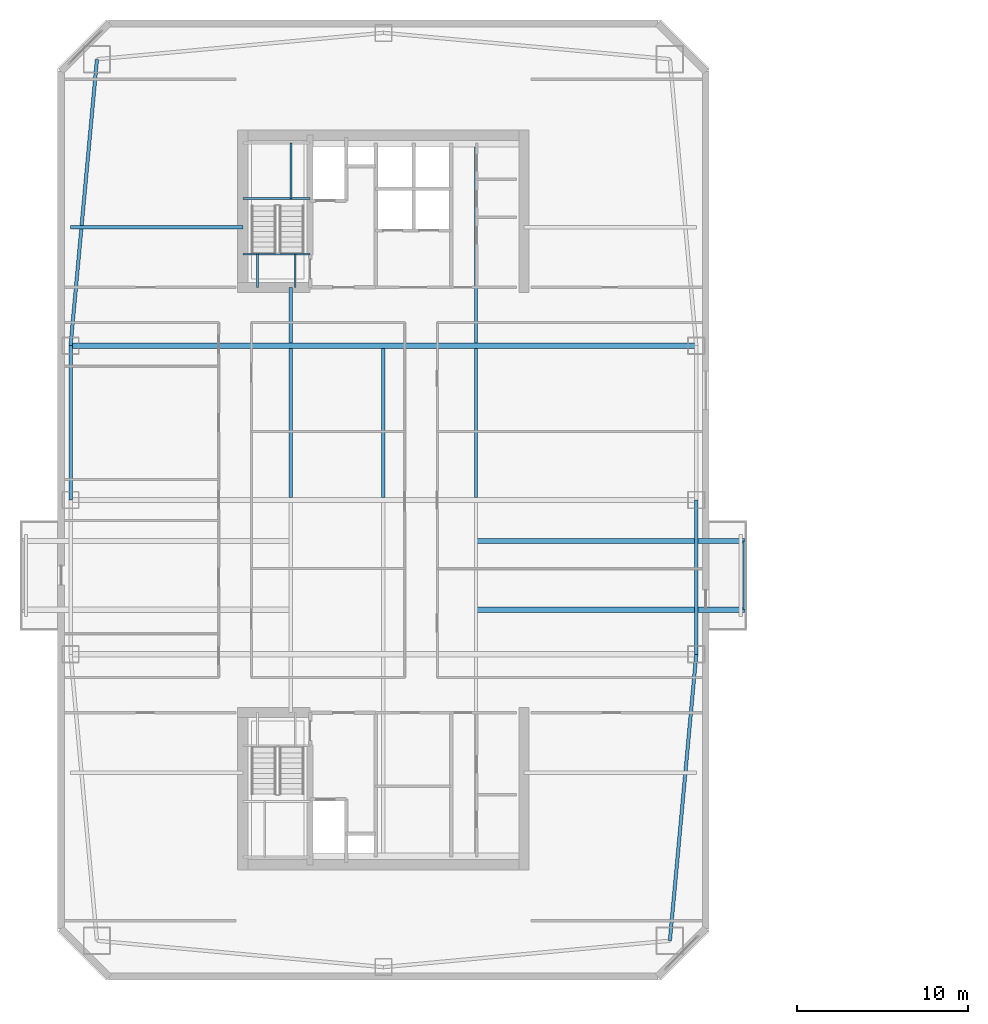
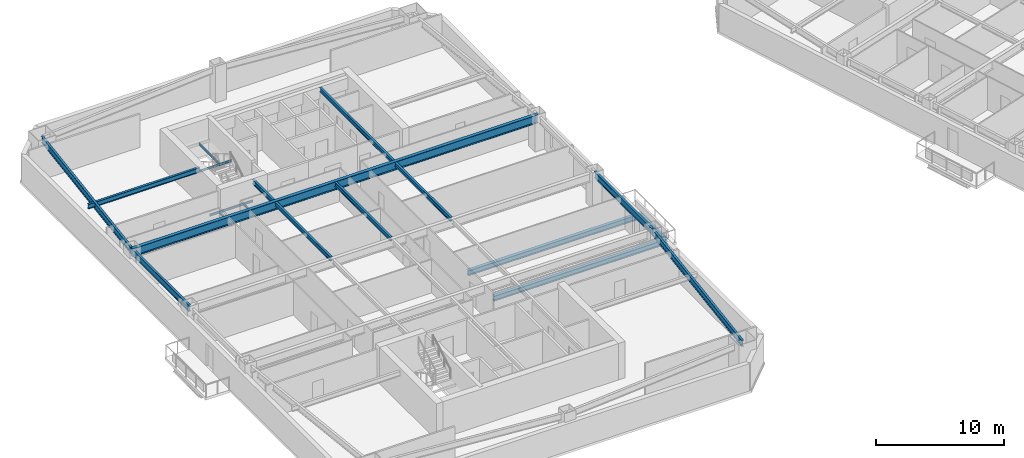
# One storey, part 5 of 22: 19 beams.
"""IFC4 building model written with IfcOpenShell, lengths in metres."""

from ifc_helpers import new_model, si_unit, direction, frame, origin, origin_2d, place, context, subcontext, project, spatial, i_section, extrude, material, material_profile, profile_set, type_object, element, save


model = new_model("IFC4")

# Units and contexts
model_context = context("Model", 3, precision=1e-05, world=origin(), true_north=direction((0.0, 1.0)))
body_context = subcontext(model_context, "Body", "Model", "MODEL_VIEW")
ifc_project = project(units=[si_unit("LENGTHUNIT", "METRE"), si_unit("AREAUNIT", "SQUARE_METRE"), si_unit("VOLUMEUNIT", "CUBIC_METRE"), si_unit("PLANEANGLEUNIT", "RADIAN"), si_unit("MASSUNIT", "GRAM", prefix="KILO")], contexts=[model_context])

# Site, building, storey
site_placement = place(None, origin())
site = spatial("IfcSite", under=ifc_project, at=site_placement, CompositionType="ELEMENT")
building_placement = place(site_placement, origin())
building = spatial("IfcBuilding", under=site, at=building_placement, Name="Qiaolan Cultural Towers", CompositionType="ELEMENT")
storey_placement = place(building_placement, frame((0.0, 0.0, 146.050048828125)))
storey = spatial("IfcBuildingStorey", under=building, at=storey_placement, Name="L38", CompositionType="ELEMENT", Elevation=146.050048828125)

# Beams
ifc_material_1 = material(Name="Steel Q355B", Category="steel")
ifc_material_profile_1 = material_profile(ifc_material_1, i_section(OverallWidth=0.300048828125, OverallDepth=0.488037109375, WebThickness=0.010986328125, FlangeThickness=0.01806640625, at=origin_2d()), Name="HM488x300x11x18")
ifc_profile_set_1 = profile_set([ifc_material_profile_1], Name="Steel Q355B")
beam_type_1 = type_object("IfcBeamType", Name="BM-HM488x300x11x18", PredefinedType="BEAM", material=ifc_profile_set_1)
for number, where, z_axis, x_axis, name in (
    (1, (35.39990234375, 27.60009765625, -0.524169921875), (1.0, 0.0, 0.0), (0.0, 1.0, 0.0), "L38 T1 Tree Balcony Back-Spanned Bracket Beam"),
    (2, (35.39990234375, 31.60009765625, -0.524169921875), (1.0, 0.0, 0.0), (0.0, 1.0, 0.0), "L38 T1 Tree Balcony Back-Spanned Bracket Beam"),
):
    element("IfcBeam", number, at=place(storey_placement, frame(where, z_axis=z_axis, x_axis=x_axis)), inside=storey, type_object=beam_type_1, Name=name, PredefinedType="BEAM", context=body_context, shape_type="SweptSolid", body=[
        extrude(i_section(OverallWidth=0.300048828125, OverallDepth=0.488037109375, WebThickness=0.010986328125, FlangeThickness=0.01806640625, at=origin_2d()), origin(), (0.0, 0.0, 1.0), 15.650146484375),
    ])
ifc_material_2 = material(Name="Steel Q355B", Category="steel")
ifc_material_profile_2 = material_profile(ifc_material_2, i_section(OverallWidth=0.300048828125, OverallDepth=0.800048828125, WebThickness=0.013916015625, FlangeThickness=0.02587890625, at=origin_2d()), Name="HN800x300x14x26")
ifc_profile_set_2 = profile_set([ifc_material_profile_2], Name="Steel Q355B")
beam_type_2 = type_object("IfcBeamType", Name="BM-HN800x300x14x26", PredefinedType="BEAM", material=ifc_profile_set_2)
beam_1_placement = place(storey_placement, frame((11.75, 43.0, 2.7900390625), z_axis=(1.0, 0.0, 0.0), x_axis=(0.0, 1.0, 0.0)))
element("IfcBeam", 3, at=beam_1_placement, inside=storey, type_object=beam_type_2, Name="L38 T1 Primary Transverse Girder V3", PredefinedType="BEAM", context=body_context, shape_type="SweptSolid", body=[
    extrude(i_section(OverallWidth=0.300048828125, OverallDepth=0.800048828125, WebThickness=0.013916015625, FlangeThickness=0.02587890625, at=origin_2d()), origin(), (0.0, 0.0, 1.0), 36.5),
])
ifc_material_3 = material(Name="Steel Q355B", Category="steel")
ifc_material_profile_3 = material_profile(ifc_material_3, i_section(OverallWidth=0.175048828125, OverallDepth=0.35009765625, WebThickness=0.007080078125, FlangeThickness=0.010986328125, at=origin_2d()), Name="HN350x175x7x11")
ifc_profile_set_3 = profile_set([ifc_material_profile_3], Name="Steel Q355B")
beam_type_3 = type_object("IfcBeamType", Name="BM-JST-HN350x175x7x11", PredefinedType="JOIST", material=ifc_profile_set_3)
beam_2_placement = place(storey_placement, frame((51.050048828125, 27.60009765625, -0.524169921875), z_axis=(0.0, 1.0, 0.0), x_axis=(-1.0, 0.0, 0.0)))
element("IfcBeam", 4, at=beam_2_placement, inside=storey, type_object=beam_type_3, Name="L38 T1 Tree Balcony Outer Edge Beam", PredefinedType="JOIST", context=body_context, shape_type="SweptSolid", body=[
    extrude(i_section(OverallWidth=0.175048828125, OverallDepth=0.35009765625, WebThickness=0.007080078125, FlangeThickness=0.010986328125, at=origin_2d()), origin(), (0.0, 0.0, 1.0), 4.0),
])
ifc_material_4 = material(Name="Steel Q355B", Category="steel")
ifc_material_profile_4 = material_profile(ifc_material_4, i_section(OverallWidth=0.199951171875, OverallDepth=0.39990234375, WebThickness=0.008056640625, FlangeThickness=0.012939453125, at=origin_2d()), Name="HN400x200x8x13")
ifc_profile_set_4 = profile_set([ifc_material_profile_4], Name="Steel Q355B")
beam_type_4 = type_object("IfcBeamType", Name="BM-JST-HN400x200x8x13", PredefinedType="JOIST", material=ifc_profile_set_4)
beam_3_placement = place(storey_placement, frame((24.60009765625, 34.14990234375, 2.989990234375), z_axis=(0.0, 1.0, 0.0), x_axis=(-1.0, 0.0, 0.0)))
element("IfcBeam", 5, at=beam_3_placement, inside=storey, type_object=beam_type_4, Name="L38 T1 Secondary Floor Joist U1-3", PredefinedType="JOIST", context=body_context, shape_type="SweptSolid", body=[
    extrude(i_section(OverallWidth=0.199951171875, OverallDepth=0.39990234375, WebThickness=0.008056640625, FlangeThickness=0.012939453125, at=origin_2d()), origin(), (0.0, 0.0, 1.0), 8.7001953125),
])
beam_4_placement = place(storey_placement, frame((24.60009765625, 43.14990234375, 2.989990234375), z_axis=(0.0, 1.0, 0.0), x_axis=(-1.0, 0.0, 0.0)))
element("IfcBeam", 6, at=beam_4_placement, inside=storey, type_object=beam_type_4, Name="L38 T1 Secondary Floor Joist U1-4", PredefinedType="JOIST", context=body_context, shape_type="SweptSolid", body=[
    extrude(i_section(OverallWidth=0.199951171875, OverallDepth=0.39990234375, WebThickness=0.008056640625, FlangeThickness=0.012939453125, at=origin_2d()), origin(), (0.0, 0.0, 1.0), 3.25),
])
for number, where, z_axis, x_axis, name in (
    (7, (30.0, 34.14990234375, 2.989990234375), (0.0, 1.0, 0.0), (-1.0, 0.0, 0.0), "L38 T1 Secondary Floor Joist U2-3"),
    (8, (35.39990234375, 34.14990234375, 2.989990234375), (0.0, 1.0, 0.0), (-1.0, 0.0, 0.0), "L38 T1 Secondary Floor Joist U3-3"),
):
    element("IfcBeam", number, at=place(storey_placement, frame(where, z_axis=z_axis, x_axis=x_axis)), inside=storey, type_object=beam_type_4, Name=name, PredefinedType="JOIST", context=body_context, shape_type="SweptSolid", body=[
        extrude(i_section(OverallWidth=0.199951171875, OverallDepth=0.39990234375, WebThickness=0.008056640625, FlangeThickness=0.012939453125, at=origin_2d()), origin(), (0.0, 0.0, 1.0), 8.7001953125),
    ])
beam_5_placement = place(storey_placement, frame((35.39990234375, 43.14990234375, 2.989990234375), z_axis=(0.0, 1.0, 0.0), x_axis=(-1.0, 0.0, 0.0)))
element("IfcBeam", 9, at=beam_5_placement, inside=storey, type_object=beam_type_4, Name="L38 T1 Secondary Floor Joist U3-4", PredefinedType="JOIST", context=body_context, shape_type="SweptSolid", body=[
    extrude(i_section(OverallWidth=0.199951171875, OverallDepth=0.39990234375, WebThickness=0.008056640625, FlangeThickness=0.012939453125, at=origin_2d()), origin(), (0.0, 0.0, 1.0), 11.4501953125),
])
ifc_material_5 = material(Name="Steel Q355B", Category="steel")
ifc_material_profile_5 = material_profile(ifc_material_5, i_section(OverallWidth=0.199951171875, OverallDepth=0.449951171875, WebThickness=0.009033203125, FlangeThickness=0.013916015625, at=origin_2d()), Name="HN450x200x9x14")
ifc_profile_set_5 = profile_set([ifc_material_profile_5], Name="Steel Q355B")
beam_type_5 = type_object("IfcBeamType", Name="BM-LNT-HN450x200x9x14", PredefinedType="LINTEL", material=ifc_profile_set_5)
beam_6_placement = place(storey_placement, frame((21.800048828125, 49.89990234375, 2.96484375), z_axis=(-1.0, 0.0, 0.0), x_axis=(0.0, -1.0, 0.0)))
element("IfcBeam", 10, at=beam_6_placement, inside=storey, type_object=beam_type_5, Name="L38 T1 Core Flank Tie Lintel WN", PredefinedType="LINTEL", context=body_context, shape_type="SweptSolid", body=[
    extrude(i_section(OverallWidth=0.199951171875, OverallDepth=0.449951171875, WebThickness=0.009033203125, FlangeThickness=0.013916015625, at=origin_2d()), origin(), (0.0, 0.0, 1.0), 10.050048828125),
])
ifc_material_6 = material(Name="Steel Q355B", Category="steel")
ifc_material_profile_6 = material_profile(ifc_material_6, i_section(OverallWidth=0.199951171875, OverallDepth=0.60009765625, WebThickness=0.010986328125, FlangeThickness=0.01708984375, at=origin_2d()), Name="HN600x200x11x17")
ifc_profile_set_6 = profile_set([ifc_material_profile_6], Name="Steel Q355B")
beam_type_6 = type_object("IfcBeamType", Name="BM-SPD-HN600x200x11x17", PredefinedType="SPANDREL", material=ifc_profile_set_6)
beam_7_placement = place(storey_placement, frame((46.7099609375, 8.2900390625, 2.889892578125), z_axis=(0.09177399582, 0.995779862064, 0.0), x_axis=(-0.995779862064, 0.09177399582, 0.0)))
element("IfcBeam", 11, at=beam_7_placement, inside=storey, type_object=beam_type_6, Name="L38 T1 Perimeter Spandrel Beam 3", PredefinedType="SPANDREL", context=body_context, shape_type="SweptSolid", body=[
    extrude(i_section(OverallWidth=0.199951171875, OverallDepth=0.60009765625, WebThickness=0.010986328125, FlangeThickness=0.01708984375, at=origin_2d()), origin(), (0.0, 0.0, 1.0), 16.78076171875),
])
beam_8_placement = place(storey_placement, frame((48.25, 25.0, 2.889892578125), z_axis=(0.0, 1.0, 0.0), x_axis=(-1.0, 0.0, 0.0)))
element("IfcBeam", 12, at=beam_8_placement, inside=storey, type_object=beam_type_6, Name="L38 T1 Perimeter Spandrel Beam 4", PredefinedType="SPANDREL", context=body_context, shape_type="SweptSolid", body=[
    extrude(i_section(OverallWidth=0.199951171875, OverallDepth=0.60009765625, WebThickness=0.010986328125, FlangeThickness=0.01708984375, at=origin_2d()), origin(), (0.0, 0.0, 1.0), 9.0),
])
beam_9_placement = place(storey_placement, frame((13.2900390625, 59.7099609375, 2.889892578125), z_axis=(-0.09177399582, -0.995779862064, 0.0), x_axis=(0.995779862064, -0.09177399582, 0.0)))
element("IfcBeam", 13, at=beam_9_placement, inside=storey, type_object=beam_type_6, Name="L38 T1 Perimeter Spandrel Beam 9", PredefinedType="SPANDREL", context=body_context, shape_type="SweptSolid", body=[
    extrude(i_section(OverallWidth=0.199951171875, OverallDepth=0.60009765625, WebThickness=0.010986328125, FlangeThickness=0.01708984375, at=origin_2d()), origin(), (0.0, 0.0, 1.0), 16.78076171875),
])
beam_10_placement = place(storey_placement, frame((11.75, 43.0, 2.889892578125), z_axis=(0.0, -1.0, 0.0), x_axis=(1.0, 0.0, 0.0)))
element("IfcBeam", 14, at=beam_10_placement, inside=storey, type_object=beam_type_6, Name="L38 T1 Perimeter Spandrel Beam 10", PredefinedType="SPANDREL", context=body_context, shape_type="SweptSolid", body=[
    extrude(i_section(OverallWidth=0.199951171875, OverallDepth=0.60009765625, WebThickness=0.010986328125, FlangeThickness=0.01708984375, at=origin_2d()), origin(), (0.0, 0.0, 1.0), 9.0),
])
ifc_material_7 = material(Name="Steel Q355B", Category="steel")
ifc_material_profile_7 = material_profile(ifc_material_7, i_section(OverallWidth=0.10009765625, OverallDepth=0.199951171875, WebThickness=0.005615234375, FlangeThickness=0.008056640625, at=origin_2d()), Name="HN200x100x5.5x8")
ifc_profile_set_7 = profile_set([ifc_material_profile_7], Name="Steel Q355B")
beam_type_7 = type_object("IfcBeamType", Name="BM-STTRIM-200", PredefinedType="BEAM", material=ifc_profile_set_7)
beam_11_placement = place(storey_placement, frame((21.800048828125, 48.340087890625, -0.4599609375), z_axis=(1.0, 0.0, 0.0), x_axis=(0.0, 1.0, 0.0)))
element("IfcBeam", 15, at=beam_11_placement, inside=storey, type_object=beam_type_7, Name="L38 ST-W2 Floor Landing Header Beam", PredefinedType="BEAM", context=body_context, shape_type="SweptSolid", body=[
    extrude(i_section(OverallWidth=0.10009765625, OverallDepth=0.199951171875, WebThickness=0.005615234375, FlangeThickness=0.008056640625, at=origin_2d()), origin(), (0.0, 0.0, 1.0), 3.919921875),
])
for number, where, z_axis, x_axis, name in (
    (16, (22.64990234375, 46.39990234375, -0.4599609375), (0.0, 1.0, 0.0), (-1.0, 0.0, 0.0), "L38 ST-W2 Floor Landing Stringer 1"),
    (17, (24.85009765625, 46.39990234375, -0.4599609375), (0.0, 1.0, 0.0), (-1.0, 0.0, 0.0), "L38 ST-W2 Floor Landing Stringer 2"),
):
    element("IfcBeam", number, at=place(storey_placement, frame(where, z_axis=z_axis, x_axis=x_axis)), inside=storey, type_object=beam_type_7, Name=name, PredefinedType="BEAM", context=body_context, shape_type="SweptSolid", body=[
        extrude(i_section(OverallWidth=0.10009765625, OverallDepth=0.199951171875, WebThickness=0.005615234375, FlangeThickness=0.008056640625, at=origin_2d()), origin(), (0.0, 0.0, 1.0), 1.940185546875),
    ])
beam_12_placement = place(storey_placement, frame((21.800048828125, 51.588623046875, 1.425048828125), z_axis=(1.0, 0.0, 0.0), x_axis=(0.0, 1.0, 0.0)))
element("IfcBeam", 18, at=beam_12_placement, inside=storey, type_object=beam_type_7, Name="L38 ST-W2 Stair Landing Support Beam 1-1", PredefinedType="BEAM", context=body_context, shape_type="SweptSolid", body=[
    extrude(i_section(OverallWidth=0.10009765625, OverallDepth=0.199951171875, WebThickness=0.005615234375, FlangeThickness=0.008056640625, at=origin_2d()), origin(), (0.0, 0.0, 1.0), 3.919921875),
])
beam_13_placement = place(storey_placement, frame((24.610107421875, 51.588623046875, 1.425048828125), z_axis=(0.0, 1.0, 0.0), x_axis=(-1.0, 0.0, 0.0)))
element("IfcBeam", 19, at=beam_13_placement, inside=storey, type_object=beam_type_7, Name="L38 ST-W2 Stair Landing Trimmer 1", PredefinedType="BEAM", context=body_context, shape_type="SweptSolid", body=[
    extrude(i_section(OverallWidth=0.10009765625, OverallDepth=0.199951171875, WebThickness=0.005615234375, FlangeThickness=0.008056640625, at=origin_2d()), origin(), (0.0, 0.0, 1.0), 3.2314453125),
])

save(model, "model.ifc")
